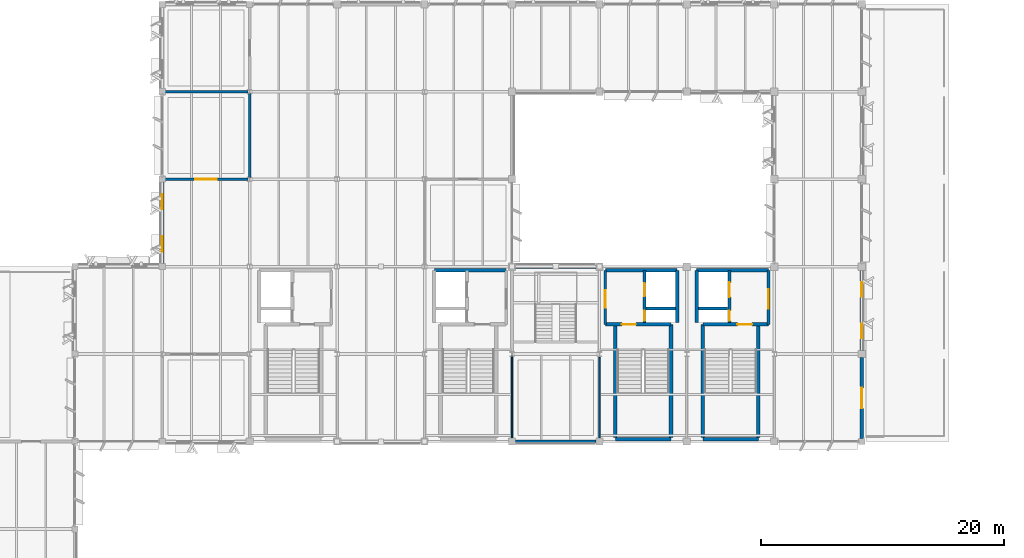
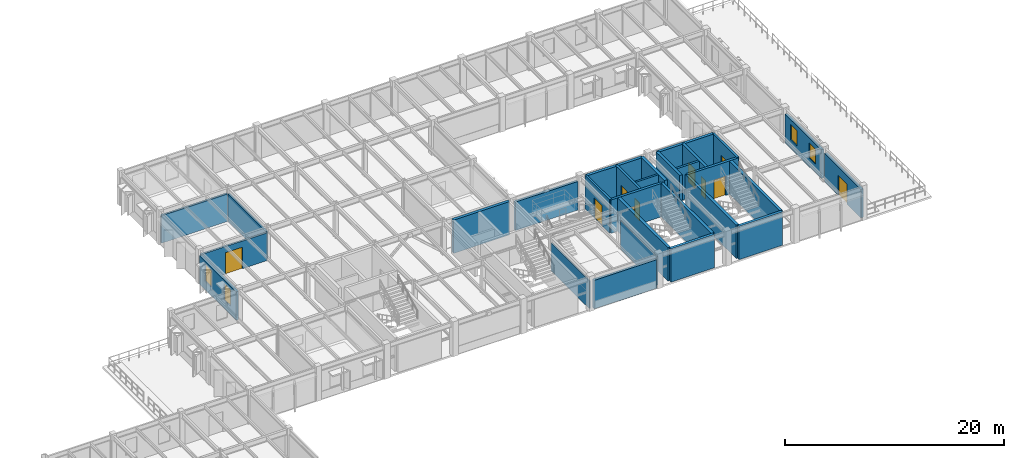
# One storey, part 14 of 35: 29 walls, 10 doors, 4 windows, 14 openings.
"""IFC4 building model written with IfcOpenShell, lengths in metres."""

from ifc_helpers import new_model, si_unit, direction, frame, frame_2d, origin, place, context, subcontext, project, spatial, rectangle, extrude, material, layer, layer_set, type_object, element, fill, save


model = new_model("IFC4")

# Units and contexts
model_context = context("Model", 3, precision=1e-05, world=origin(), true_north=direction((0.0, 1.0)))
body_context = subcontext(model_context, "Body", "Model", "MODEL_VIEW")
ifc_project = project(units=[si_unit("LENGTHUNIT", "METRE"), si_unit("AREAUNIT", "SQUARE_METRE"), si_unit("VOLUMEUNIT", "CUBIC_METRE"), si_unit("PLANEANGLEUNIT", "RADIAN"), si_unit("MASSUNIT", "GRAM", prefix="KILO")], contexts=[model_context])

# Site, building, storey
site_placement = place(None, origin())
site = spatial("IfcSite", under=ifc_project, at=site_placement, CompositionType="ELEMENT")
building_placement = place(site_placement, origin())
building = spatial("IfcBuilding", under=site, at=building_placement, Name="Sillqori Civic Hall", CompositionType="ELEMENT")
storey_placement = place(building_placement, frame((0.0, 0.0, 18.0)))
storey = spatial("IfcBuildingStorey", under=building, at=storey_placement, Name="L05", CompositionType="ELEMENT", Elevation=18.0)

# Wall
ifc_material_1 = material(Name="Concrete C35/45 (H35)", Category="concrete")
ifc_layer_1 = layer(ifc_material_1, 0.219970703125)
ifc_layer_set_1 = layer_set([ifc_layer_1], Name="Concrete C35/45 (H35)")
wall_type_1 = type_object("IfcWallType", Name="CW-SHR-220", PredefinedType="SHEAR", material=ifc_layer_set_1)
wall_1_placement = place(storey_placement, frame((83.050048828125, 90.14990234375, 0.0), z_axis=(0.0, 0.0, 1.0), x_axis=(1.0, 0.0, 0.0)))
element("IfcWall", 1, at=wall_1_placement, inside=storey, type_object=wall_type_1, Name="L05 C7 Lift-riser divider wall", PredefinedType="SHEAR", context=body_context, shape_type="SweptSolid", body=[
    extrude(rectangle(XDim=2.39990234375, YDim=0.219970703125, at=frame_2d((1.199951171875, 0.0))), origin(), (0.0, 0.0, 1.0), 3.719970703125),
])

# Wall, opening, door
wall_2_placement = place(storey_placement, frame((79.679931640625, 88.85009765625, 0.0), z_axis=(0.0, 0.0, 1.0), x_axis=(0.0, 1.0, 0.0)))
wall_2 = element("IfcWall", 2, at=wall_2_placement, inside=storey, type_object=wall_type_1, Name="L05 C7 firefighting lobby enclosure wall", PredefinedType="SHEAR", context=body_context, shape_type="SweptSolid", body=[
    extrude(rectangle(XDim=4.449951171875, YDim=0.219970703125, at=frame_2d((2.22509765625, 0.0))), origin(), (0.0, 0.0, 1.0), 3.719970703125),
])
opening_1_placement = place(wall_2_placement, frame((1.375, 0.0, 0.0)))
opening_1 = element("IfcOpeningElement", 3, at=opening_1_placement, cuts=wall_2, Name="Opening FD-03", PredefinedType="OPENING", context=body_context, shape_type="SweptSolid", body=[
    extrude(rectangle(XDim=1.449951171875, YDim=2.199951171875, at=frame_2d((0.72509765625, 1.10009765625))), frame((0.0, 0.119873046875, 0.0), z_axis=(0.0, -1.0, 0.0), x_axis=(1.0, 0.0, 0.0)), (0.0, 0.0, 1.0), 0.239990234375),
])
ifc_material_2 = material(Name="Double-Leaf Smoke-Seal Lobby Door", Category="steel")
door_type_1 = type_object("IfcDoorType", Name="FDR-LOB-145X220", OperationType="NOTDEFINED", PredefinedType="DOOR", material=ifc_material_2)
door_1_placement = place(opening_1_placement, origin())
door_1 = element("IfcDoor", 4, at=door_1_placement, inside=storey, type_object=door_type_1, Name="L05 C7 firefighting lobby exit door", OperationType="DOUBLE_DOOR_SINGLE_SWING", OverallHeight=2.199951171875, OverallWidth=1.449951171875, PredefinedType="DOOR", context=body_context, shape_type="SweptSolid", body=[
    extrude(rectangle(XDim=1.449951171875, YDim=2.199951171875, at=frame_2d((0.72509765625, 1.10009765625))), frame((0.0, 0.02490234375, 0.0), z_axis=(0.0, -1.0, 0.0), x_axis=(1.0, 0.0, 0.0)), (0.0, 0.0, 1.0), 0.050048828125),
])
fill(opening_1, door_1)

# Wall
wall_3_placement = place(storey_placement, frame((87.35009765625, 90.14990234375, 0.0), z_axis=(0.0, 0.0, 1.0), x_axis=(1.0, 0.0, 0.0)))
element("IfcWall", 5, at=wall_3_placement, inside=storey, type_object=wall_type_1, Name="L05 C8 Lift-riser divider wall", PredefinedType="SHEAR", context=body_context, shape_type="SweptSolid", body=[
    extrude(rectangle(XDim=2.39990234375, YDim=0.219970703125, at=frame_2d((1.199951171875, 0.0))), origin(), (0.0, 0.0, 1.0), 3.719970703125),
])

# Wall, opening, door
wall_4_placement = place(storey_placement, frame((93.1201171875, 93.300048828125, 0.0), z_axis=(0.0, 0.0, 1.0), x_axis=(0.0, -1.0, 0.0)))
wall_4 = element("IfcWall", 6, at=wall_4_placement, inside=storey, type_object=wall_type_1, Name="L05 C8 firefighting lobby enclosure wall", PredefinedType="SHEAR", context=body_context, shape_type="SweptSolid", body=[
    extrude(rectangle(XDim=4.449951171875, YDim=0.219970703125, at=frame_2d((2.22509765625, 0.0))), origin(), (0.0, 0.0, 1.0), 3.719970703125),
])
opening_2_placement = place(wall_4_placement, frame((1.550048828125, 0.0, 0.0)))
opening_2 = element("IfcOpeningElement", 7, at=opening_2_placement, cuts=wall_4, Name="Opening FD-04", PredefinedType="OPENING", context=body_context, shape_type="SweptSolid", body=[
    extrude(rectangle(XDim=1.60009765625, YDim=2.199951171875, at=frame_2d((0.800048828125, 1.10009765625))), frame((0.0, 0.119873046875, 0.0), z_axis=(0.0, -1.0, 0.0), x_axis=(1.0, 0.0, 0.0)), (0.0, 0.0, 1.0), 0.239990234375),
])
ifc_material_3 = material(Name="Double-Leaf Firefighting Lobby Door", Category="steel")
door_type_2 = type_object("IfcDoorType", Name="FDR-LOB-160X220", OperationType="NOTDEFINED", PredefinedType="DOOR", material=ifc_material_3)
door_2_placement = place(opening_2_placement, origin())
door_2 = element("IfcDoor", 8, at=door_2_placement, inside=storey, type_object=door_type_2, Name="L05 C8 firefighting lobby exit door", OperationType="DOUBLE_DOOR_SINGLE_SWING", OverallHeight=2.199951171875, OverallWidth=1.60009765625, PredefinedType="DOOR", context=body_context, shape_type="SweptSolid", body=[
    extrude(rectangle(XDim=1.60009765625, YDim=2.199951171875, at=frame_2d((0.800048828125, 1.10009765625))), frame((0.0, 0.02490234375, 0.0), z_axis=(0.0, -1.0, 0.0), x_axis=(1.0, 0.0, 0.0)), (0.0, 0.0, 1.0), 0.050048828125),
])
fill(opening_2, door_2)

ifc_layer_2 = layer(ifc_material_1, 0.260009765625)
ifc_layer_set_2 = layer_set([ifc_layer_2], Name="Concrete C35/45 (H35)")
wall_type_2 = type_object("IfcWallType", Name="CW-SHR-260", PredefinedType="SHEAR", material=ifc_layer_set_2)
wall_5_placement = place(storey_placement, frame((79.679931640625, 88.85009765625, 0.0), z_axis=(0.0, 0.0, 1.0), x_axis=(1.0, 0.0, 0.0)))
wall_5 = element("IfcWall", 9, at=wall_5_placement, inside=storey, type_object=wall_type_2, Name="L05 C7 Stair-lobby fire wall", PredefinedType="SHEAR", context=body_context, shape_type="SweptSolid", body=[
    extrude(rectangle(XDim=5.41015625, YDim=0.260009765625, at=frame_2d((2.705078125, 0.0))), origin(), (0.0, 0.0, 1.0), 3.719970703125),
])
opening_3_placement = place(wall_5_placement, frame((1.3701171875, 0.0, 0.0)))
opening_3 = element("IfcOpeningElement", 10, at=opening_3_placement, cuts=wall_5, Name="Opening FD-01", PredefinedType="OPENING", context=body_context, shape_type="SweptSolid", body=[
    extrude(rectangle(XDim=1.14990234375, YDim=2.14990234375, at=frame_2d((0.574951171875, 1.074951171875))), frame((0.0, 0.139892578125, 0.0), z_axis=(0.0, -1.0, 0.0), x_axis=(1.0, 0.0, 0.0)), (0.0, 0.0, 1.0), 0.280029296875),
])
ifc_material_4 = material(Name="Galvanized Steel Fire Door FD90S", Category="steel")
door_type_3 = type_object("IfcDoorType", Name="FDR-STR-115X215", OperationType="NOTDEFINED", PredefinedType="DOOR", material=ifc_material_4)
door_3_placement = place(opening_3_placement, origin())
door_3 = element("IfcDoor", 11, at=door_3_placement, inside=storey, type_object=door_type_3, Name="L05 stair ST-07 fire door", OperationType="SINGLE_SWING_RIGHT", OverallHeight=2.14990234375, OverallWidth=1.14990234375, PredefinedType="DOOR", context=body_context, shape_type="SweptSolid", body=[
    extrude(rectangle(XDim=1.14990234375, YDim=2.14990234375, at=frame_2d((0.574951171875, 1.074951171875))), frame((0.0, 0.02490234375, 0.0), z_axis=(0.0, -1.0, 0.0), x_axis=(1.0, 0.0, 0.0)), (0.0, 0.0, 1.0), 0.050048828125),
])
fill(opening_3, door_3)

# Wall, openings, doors
wall_6_placement = place(storey_placement, frame((82.89990234375, 88.97998046875, 0.0), z_axis=(0.0, 0.0, 1.0), x_axis=(0.0, 1.0, 0.0)))
wall_6 = element("IfcWall", 12, at=wall_6_placement, inside=storey, type_object=wall_type_2, Name="L05 C7 Lift landing & riser front wall", PredefinedType="SHEAR", context=body_context, shape_type="SweptSolid", body=[
    extrude(rectangle(XDim=4.320068359375, YDim=0.260009765625, at=frame_2d((2.16015625, 0.0))), origin(), (0.0, 0.0, 1.0), 3.719970703125),
])
opening_4_placement = place(wall_6_placement, frame((2.169921875, 0.0, 0.0)))
opening_4 = element("IfcOpeningElement", 13, at=opening_4_placement, cuts=wall_6, Name="Opening LD-01", PredefinedType="OPENING", context=body_context, shape_type="SweptSolid", body=[
    extrude(rectangle(XDim=1.10009765625, YDim=2.14990234375, at=frame_2d((0.550048828125, 1.074951171875))), frame((0.0, 0.139892578125, 0.0), z_axis=(0.0, -1.0, 0.0), x_axis=(1.0, 0.0, 0.0)), (0.0, 0.0, 1.0), 0.280029296875),
])
opening_5_placement = place(wall_6_placement, frame((0.14501953125, 0.0, 0.0)))
opening_5 = element("IfcOpeningElement", 14, at=opening_5_placement, cuts=wall_6, Name="Opening FD-05", PredefinedType="OPENING", context=body_context, shape_type="SweptSolid", body=[
    extrude(rectangle(XDim=0.85009765625, YDim=2.050048828125, at=frame_2d((0.425048828125, 1.02490234375))), frame((0.0, 0.139892578125, 0.0), z_axis=(0.0, -1.0, 0.0), x_axis=(1.0, 0.0, 0.0)), (0.0, 0.0, 1.0), 0.280029296875),
])
ifc_material_5 = material(Name="Steel Riser Access Fire Door", Category="steel")
door_type_4 = type_object("IfcDoorType", Name="FDR-RSR-085X205", OperationType="NOTDEFINED", PredefinedType="DOOR", material=ifc_material_5)
door_4_placement = place(opening_5_placement, origin())
door_4 = element("IfcDoor", 15, at=door_4_placement, inside=storey, type_object=door_type_4, Name="L05 MEP riser C7 fire access door", OperationType="SINGLE_SWING_LEFT", OverallHeight=2.050048828125, OverallWidth=0.85009765625, PredefinedType="DOOR", context=body_context, shape_type="SweptSolid", body=[
    extrude(rectangle(XDim=0.85009765625, YDim=2.050048828125, at=frame_2d((0.425048828125, 1.02490234375))), frame((0.0, 0.02490234375, 0.0), z_axis=(0.0, -1.0, 0.0), x_axis=(1.0, 0.0, 0.0)), (0.0, 0.0, 1.0), 0.050048828125),
])
fill(opening_5, door_4)
ifc_material_6 = material(Name="Stainless Steel Lift Landing Door", Category="steel")
door_type_5 = type_object("IfcDoorType", Name="LDR-PASS-110X215", OperationType="NOTDEFINED", PredefinedType="DOOR", material=ifc_material_6)
door_5_placement = place(opening_4_placement, origin())
door_5 = element("IfcDoor", 16, at=door_5_placement, inside=storey, type_object=door_type_5, Name="L05 lift LF-04 sliding landing door", OperationType="DOUBLE_DOOR_SLIDING", OverallHeight=2.14990234375, OverallWidth=1.10009765625, PredefinedType="DOOR", context=body_context, shape_type="SweptSolid", body=[
    extrude(rectangle(XDim=1.10009765625, YDim=2.14990234375, at=frame_2d((0.550048828125, 1.074951171875))), frame((0.0, 0.02490234375, 0.0), z_axis=(0.0, -1.0, 0.0), x_axis=(1.0, 0.0, 0.0)), (0.0, 0.0, 1.0), 0.050048828125),
])
fill(opening_4, door_5)

# Wall, opening, door
wall_7_placement = place(storey_placement, frame((87.7099609375, 88.85009765625, 0.0), z_axis=(0.0, 0.0, 1.0), x_axis=(1.0, 0.0, 0.0)))
wall_7 = element("IfcWall", 17, at=wall_7_placement, inside=storey, type_object=wall_type_2, Name="L05 C8 Stair-lobby fire wall", PredefinedType="SHEAR", context=body_context, shape_type="SweptSolid", body=[
    extrude(rectangle(XDim=5.41015625, YDim=0.260009765625, at=frame_2d((2.705078125, 0.0))), origin(), (0.0, 0.0, 1.0), 3.719970703125),
])
opening_6_placement = place(wall_7_placement, frame((2.840087890625, 0.0, 0.0)))
opening_6 = element("IfcOpeningElement", 18, at=opening_6_placement, cuts=wall_7, Name="Opening FD-02", PredefinedType="OPENING", context=body_context, shape_type="SweptSolid", body=[
    extrude(rectangle(XDim=1.219970703125, YDim=2.14990234375, at=frame_2d((0.60986328125, 1.074951171875))), frame((0.0, 0.139892578125, 0.0), z_axis=(0.0, -1.0, 0.0), x_axis=(1.0, 0.0, 0.0)), (0.0, 0.0, 1.0), 0.280029296875),
])
ifc_material_7 = material(Name="Galvanized Steel Fire Door FD120S", Category="steel")
door_type_6 = type_object("IfcDoorType", Name="FDR-STR-122X215", OperationType="NOTDEFINED", PredefinedType="DOOR", material=ifc_material_7)
door_6_placement = place(opening_6_placement, origin())
door_6 = element("IfcDoor", 19, at=door_6_placement, inside=storey, type_object=door_type_6, Name="L05 stair ST-08 fire door", OperationType="SINGLE_SWING_RIGHT", OverallHeight=2.14990234375, OverallWidth=1.219970703125, PredefinedType="DOOR", context=body_context, shape_type="SweptSolid", body=[
    extrude(rectangle(XDim=1.219970703125, YDim=2.14990234375, at=frame_2d((0.60986328125, 1.074951171875))), frame((0.0, 0.02490234375, 0.0), z_axis=(0.0, -1.0, 0.0), x_axis=(1.0, 0.0, 0.0)), (0.0, 0.0, 1.0), 0.050048828125),
])
fill(opening_6, door_6)

# Wall, openings, doors
wall_8_placement = place(storey_placement, frame((89.89990234375, 93.300048828125, 0.0), z_axis=(0.0, 0.0, 1.0), x_axis=(0.0, -1.0, 0.0)))
wall_8 = element("IfcWall", 20, at=wall_8_placement, inside=storey, type_object=wall_type_2, Name="L05 C8 Lift landing & riser front wall", PredefinedType="SHEAR", context=body_context, shape_type="SweptSolid", body=[
    extrude(rectangle(XDim=4.320068359375, YDim=0.260009765625, at=frame_2d((2.16015625, 0.0))), origin(), (0.0, 0.0, 1.0), 3.719970703125),
])
opening_7_placement = place(wall_8_placement, frame((1.0, 0.0, 0.0)))
opening_7 = element("IfcOpeningElement", 21, at=opening_7_placement, cuts=wall_8, Name="Opening LD-02", PredefinedType="OPENING", context=body_context, shape_type="SweptSolid", body=[
    extrude(rectangle(XDim=1.199951171875, YDim=2.14990234375, at=frame_2d((0.60009765625, 1.074951171875))), frame((0.0, 0.139892578125, 0.0), z_axis=(0.0, -1.0, 0.0), x_axis=(1.0, 0.0, 0.0)), (0.0, 0.0, 1.0), 0.280029296875),
])
opening_8_placement = place(wall_8_placement, frame((3.324951171875, 0.0, 0.0)))
opening_8 = element("IfcOpeningElement", 22, at=opening_8_placement, cuts=wall_8, Name="Opening FD-05", PredefinedType="OPENING", context=body_context, shape_type="SweptSolid", body=[
    extrude(rectangle(XDim=0.85009765625, YDim=2.050048828125, at=frame_2d((0.425048828125, 1.02490234375))), frame((0.0, 0.139892578125, 0.0), z_axis=(0.0, -1.0, 0.0), x_axis=(1.0, 0.0, 0.0)), (0.0, 0.0, 1.0), 0.280029296875),
])
door_7_placement = place(opening_8_placement, origin())
door_7 = element("IfcDoor", 23, at=door_7_placement, inside=storey, type_object=door_type_4, Name="L05 MEP riser C8 fire access door", OperationType="SINGLE_SWING_LEFT", OverallHeight=2.050048828125, OverallWidth=0.85009765625, PredefinedType="DOOR", context=body_context, shape_type="SweptSolid", body=[
    extrude(rectangle(XDim=0.85009765625, YDim=2.050048828125, at=frame_2d((0.425048828125, 1.02490234375))), frame((0.0, 0.02490234375, 0.0), z_axis=(0.0, -1.0, 0.0), x_axis=(1.0, 0.0, 0.0)), (0.0, 0.0, 1.0), 0.050048828125),
])
fill(opening_8, door_7)
ifc_material_8 = material(Name="Firefighting Lift Landing Door", Category="steel")
door_type_7 = type_object("IfcDoorType", Name="LDR-FIRE-120X215", OperationType="NOTDEFINED", PredefinedType="DOOR", material=ifc_material_8)
door_8_placement = place(opening_7_placement, origin())
door_8 = element("IfcDoor", 24, at=door_8_placement, inside=storey, type_object=door_type_7, Name="L05 lift LF-02 sliding landing door", OperationType="DOUBLE_DOOR_SLIDING", OverallHeight=2.14990234375, OverallWidth=1.199951171875, PredefinedType="DOOR", context=body_context, shape_type="SweptSolid", body=[
    extrude(rectangle(XDim=1.199951171875, YDim=2.14990234375, at=frame_2d((0.60009765625, 1.074951171875))), frame((0.0, 0.02490234375, 0.0), z_axis=(0.0, -1.0, 0.0), x_axis=(1.0, 0.0, 0.0)), (0.0, 0.0, 1.0), 0.050048828125),
])
fill(opening_7, door_8)

# Walls
ifc_layer_3 = layer(ifc_material_1, 0.300048828125)
ifc_layer_set_3 = layer_set([ifc_layer_3], Name="Concrete C35/45 (H35)")
wall_type_3 = type_object("IfcWallType", Name="CW-SHR-300", PredefinedType="SHEAR", material=ifc_layer_set_3)
wall_9_placement = place(storey_placement, frame((65.60009765625, 93.300048828125, 0.0), z_axis=(0.0, 0.0, 1.0), x_axis=(1.0, 0.0, 0.0)))
element("IfcWall", 25, at=wall_9_placement, inside=storey, type_object=wall_type_3, Name="L05 C6 Core north shear wall", PredefinedType="SHEAR", context=body_context, shape_type="SweptSolid", body=[
    extrude(rectangle(XDim=5.919921875, YDim=0.300048828125, at=frame_2d((2.9599609375, 0.0))), origin(), (0.0, 0.0, 1.0), 3.719970703125),
])
wall_10_placement = place(storey_placement, frame((80.510009765625, 79.39990234375, 0.0), z_axis=(0.0, 0.0, 1.0), x_axis=(1.0, 0.0, 0.0)))
element("IfcWall", 26, at=wall_10_placement, inside=storey, type_object=wall_type_3, Name="L05 C7 Stair south shear wall", PredefinedType="SHEAR", context=body_context, shape_type="SweptSolid", body=[
    extrude(rectangle(XDim=4.580078125, YDim=0.300048828125, at=frame_2d((2.2900390625, 0.0))), origin(), (0.0, 0.0, 1.0), 3.719970703125),
])
for number, where, z_axis, x_axis, name in (
    (27, (80.510009765625, 79.550048828125, 0.0), (0.0, 0.0, 1.0), (0.0, 1.0, 0.0), "L05 C7 Stair west shear wall"),
    (28, (85.090087890625, 79.550048828125, 0.0), (0.0, 0.0, 1.0), (0.0, 1.0, 0.0), "L05 C7 Stair east shear wall"),
):
    element("IfcWall", number, at=place(storey_placement, frame(where, z_axis=z_axis, x_axis=x_axis)), inside=storey, type_object=wall_type_3, Name=name, PredefinedType="SHEAR", context=body_context, shape_type="SweptSolid", body=[
        extrude(rectangle(XDim=9.300048828125, YDim=0.300048828125, at=frame_2d((4.64990234375, 0.0))), origin(), (0.0, 0.0, 1.0), 3.719970703125),
    ])
wall_11_placement = place(storey_placement, frame((85.60009765625, 88.97998046875, 0.0), z_axis=(0.0, 0.0, 1.0), x_axis=(0.0, 1.0, 0.0)))
element("IfcWall", 29, at=wall_11_placement, inside=storey, type_object=wall_type_3, Name="L05 C7 Lift shaft east shear wall", PredefinedType="SHEAR", context=body_context, shape_type="SweptSolid", body=[
    extrude(rectangle(XDim=4.320068359375, YDim=0.300048828125, at=frame_2d((2.16015625, 0.0))), origin(), (0.0, 0.0, 1.0), 3.719970703125),
])
wall_12_placement = place(storey_placement, frame((79.679931640625, 93.300048828125, 0.0), z_axis=(0.0, 0.0, 1.0), x_axis=(1.0, 0.0, 0.0)))
element("IfcWall", 30, at=wall_12_placement, inside=storey, type_object=wall_type_3, Name="L05 C7 Core north shear wall", PredefinedType="SHEAR", context=body_context, shape_type="SweptSolid", body=[
    extrude(rectangle(XDim=5.920166015625, YDim=0.300048828125, at=frame_2d((2.9599609375, 0.0))), origin(), (0.0, 0.0, 1.0), 3.719970703125),
])
wall_13_placement = place(storey_placement, frame((87.7099609375, 79.39990234375, 0.0), z_axis=(0.0, 0.0, 1.0), x_axis=(1.0, 0.0, 0.0)))
element("IfcWall", 31, at=wall_13_placement, inside=storey, type_object=wall_type_3, Name="L05 C8 Stair south shear wall", PredefinedType="SHEAR", context=body_context, shape_type="SweptSolid", body=[
    extrude(rectangle(XDim=4.580078125, YDim=0.300048828125, at=frame_2d((2.2900390625, 0.0))), origin(), (0.0, 0.0, 1.0), 3.719970703125),
])
for number, where, z_axis, x_axis, name in (
    (32, (87.7099609375, 79.550048828125, 0.0), (0.0, 0.0, 1.0), (0.0, 1.0, 0.0), "L05 C8 Stair west shear wall"),
    (33, (92.2900390625, 79.550048828125, 0.0), (0.0, 0.0, 1.0), (0.0, 1.0, 0.0), "L05 C8 Stair east shear wall"),
):
    element("IfcWall", number, at=place(storey_placement, frame(where, z_axis=z_axis, x_axis=x_axis)), inside=storey, type_object=wall_type_3, Name=name, PredefinedType="SHEAR", context=body_context, shape_type="SweptSolid", body=[
        extrude(rectangle(XDim=9.300048828125, YDim=0.300048828125, at=frame_2d((4.64990234375, 0.0))), origin(), (0.0, 0.0, 1.0), 3.719970703125),
    ])
wall_14_placement = place(storey_placement, frame((87.199951171875, 88.97998046875, 0.0), z_axis=(0.0, 0.0, 1.0), x_axis=(0.0, 1.0, 0.0)))
element("IfcWall", 34, at=wall_14_placement, inside=storey, type_object=wall_type_3, Name="L05 C8 Lift shaft west shear wall", PredefinedType="SHEAR", context=body_context, shape_type="SweptSolid", body=[
    extrude(rectangle(XDim=4.320068359375, YDim=0.300048828125, at=frame_2d((2.16015625, 0.0))), origin(), (0.0, 0.0, 1.0), 3.719970703125),
])
wall_15_placement = place(storey_placement, frame((87.199951171875, 93.300048828125, 0.0), z_axis=(0.0, 0.0, 1.0), x_axis=(1.0, 0.0, 0.0)))
element("IfcWall", 35, at=wall_15_placement, inside=storey, type_object=wall_type_3, Name="L05 C8 Core north shear wall", PredefinedType="SHEAR", context=body_context, shape_type="SweptSolid", body=[
    extrude(rectangle(XDim=5.920166015625, YDim=0.300048828125, at=frame_2d((2.9599609375, 0.0))), origin(), (0.0, 0.0, 1.0), 3.719970703125),
])

# Wall, openings, windows
ifc_material_9 = material(Name="Precast concrete C40/50 (H40)", Category="concrete")
ifc_layer_4 = layer(ifc_material_9, 0.280029296875)
ifc_layer_set_4 = layer_set([ifc_layer_4], Name="Precast concrete C40/50 (H40)")
wall_type_4 = type_object("IfcWallType", Name="EW-LIME-280", PredefinedType="SOLIDWALL", material=ifc_layer_set_4)
wall_16_placement = place(storey_placement, frame((43.199951171875, 93.85009765625, 0.0), z_axis=(0.0, 0.0, 1.0), x_axis=(0.0, 1.0, 0.0)))
wall_16 = element("IfcWall", 36, at=wall_16_placement, inside=storey, type_object=wall_type_4, Name="L05 V4 exterior wall L05-06-13-W", PredefinedType="SOLIDWALL", context=body_context, shape_type="SweptSolid", body=[
    extrude(rectangle(XDim=6.699951171875, YDim=0.280029296875, at=frame_2d((3.35009765625, 0.0))), origin(), (0.0, 0.0, 1.0), 3.172119140625),
])
opening_9_placement = place(wall_16_placement, frame((0.98291015625, 0.0, 0.949951171875)))
opening_9 = element("IfcOpeningElement", 37, at=opening_9_placement, cuts=wall_16, Name="Opening W-41", PredefinedType="OPENING", context=body_context, shape_type="SweptSolid", body=[
    extrude(rectangle(XDim=1.25, YDim=1.85009765625, at=frame_2d((0.625, 0.925048828125))), frame((0.0, 0.14990234375, 0.0), z_axis=(0.0, -1.0, 0.0), x_axis=(1.0, 0.0, 0.0)), (0.0, 0.0, 1.0), 0.300048828125),
])
opening_10_placement = place(wall_16_placement, frame((4.467041015625, 0.0, 0.949951171875)))
opening_10 = element("IfcOpeningElement", 38, at=opening_10_placement, cuts=wall_16, Name="Opening W-41", PredefinedType="OPENING", context=body_context, shape_type="SweptSolid", body=[
    extrude(rectangle(XDim=1.25, YDim=1.85009765625, at=frame_2d((0.625, 0.925048828125))), frame((0.0, 0.14990234375, 0.0), z_axis=(0.0, -1.0, 0.0), x_axis=(1.0, 0.0, 0.0)), (0.0, 0.0, 1.0), 0.300048828125),
])
ifc_material_10 = material(Name="Thermally Broken Aluminium Low-E Window", Category="aluminium")
window_type_1 = type_object("IfcWindowType", Name="WIN-GD-125X185", PartitioningType="SINGLE_PANEL", PredefinedType="WINDOW", material=ifc_material_10)
window_1_placement = place(opening_9_placement, origin())
window_1 = element("IfcWindow", 39, at=window_1_placement, inside=storey, type_object=window_type_1, Name="L05 V4 window L05-06-13-W.1", OverallHeight=1.85009765625, OverallWidth=1.25, PartitioningType="SINGLE_PANEL", PredefinedType="WINDOW", context=body_context, shape_type="SweptSolid", body=[
    extrude(rectangle(XDim=1.25, YDim=1.85009765625, at=frame_2d((0.625, 0.925048828125))), frame((0.0, 0.030029296875, 0.0), z_axis=(0.0, -1.0, 0.0), x_axis=(1.0, 0.0, 0.0)), (0.0, 0.0, 1.0), 0.06005859375),
])
fill(opening_9, window_1)
window_2_placement = place(opening_10_placement, origin())
window_2 = element("IfcWindow", 40, at=window_2_placement, inside=storey, type_object=window_type_1, Name="L05 V4 window L05-06-13-W.2", OverallHeight=1.85009765625, OverallWidth=1.25, PartitioningType="SINGLE_PANEL", PredefinedType="WINDOW", context=body_context, shape_type="SweptSolid", body=[
    extrude(rectangle(XDim=1.25, YDim=1.85009765625, at=frame_2d((0.625, 0.925048828125))), frame((0.0, 0.030029296875, 0.0), z_axis=(0.0, -1.0, 0.0), x_axis=(1.0, 0.0, 0.0)), (0.0, 0.0, 1.0), 0.06005859375),
])
fill(opening_10, window_2)

# Walls
for number, where, z_axis, x_axis, name in (
    (41, (78.89990234375, 79.199951171875, 0.0), (0.0, 0.0, 1.0), (-1.0, 0.0, 0.0), "L05 V4 exterior wall L05-10-11-S"),
    (42, (72.300048828125, 93.60009765625, 0.0), (0.0, 0.0, 1.0), (1.0, 0.0, 0.0), "L05 V4 exterior wall L05-10-12-N"),
):
    element("IfcWall", number, at=place(storey_placement, frame(where, z_axis=z_axis, x_axis=x_axis)), inside=storey, type_object=wall_type_4, Name=name, PredefinedType="SOLIDWALL", context=body_context, shape_type="SweptSolid", body=[
        extrude(rectangle(XDim=6.599853515625, YDim=0.280029296875, at=frame_2d((3.2998046875, 0.0))), origin(), (0.0, 0.0, 1.0), 3.19189453125),
    ])

# Wall, opening, door
wall_17_placement = place(storey_placement, frame((100.800048828125, 86.10009765625, 0.0), z_axis=(0.0, 0.0, 1.0), x_axis=(0.0, -1.0, 0.0)))
wall_17 = element("IfcWall", 43, at=wall_17_placement, inside=storey, type_object=wall_type_4, Name="L05 V4 exterior wall L05-13-11-E", PredefinedType="SOLIDWALL", context=body_context, shape_type="SweptSolid", body=[
    extrude(rectangle(XDim=6.650146484375, YDim=0.280029296875, at=frame_2d((3.3251953125, 0.0))), origin(), (0.0, 0.0, 1.0), 3.172119140625),
])
opening_11_placement = place(wall_17_placement, frame((2.47509765625, 0.0, 0.0)))
opening_11 = element("IfcOpeningElement", 44, at=opening_11_placement, cuts=wall_17, Name="Opening ED-07", PredefinedType="OPENING", context=body_context, shape_type="SweptSolid", body=[
    extrude(rectangle(XDim=1.699951171875, YDim=2.25, at=frame_2d((0.85009765625, 1.125))), frame((0.0, 0.14990234375, 0.0), z_axis=(0.0, -1.0, 0.0), x_axis=(1.0, 0.0, 0.0)), (0.0, 0.0, 1.0), 0.300048828125),
])
ifc_material_11 = material(Name="Thermally Broken Anodized Aluminium and Laminated Glass", Category="aluminium")
door_type_8 = type_object("IfcDoorType", Name="EDR-TERR-170X225", OperationType="NOTDEFINED", PredefinedType="DOOR", material=ifc_material_11)
door_9_placement = place(opening_11_placement, origin())
door_9 = element("IfcDoor", 45, at=door_9_placement, inside=storey, type_object=door_type_8, Name="Finance East Roof Garden Access Door", OperationType="DOUBLE_DOOR_SINGLE_SWING", OverallHeight=2.25, OverallWidth=1.699951171875, PredefinedType="DOOR", context=body_context, shape_type="SweptSolid", body=[
    extrude(rectangle(XDim=1.699951171875, YDim=2.25, at=frame_2d((0.85009765625, 1.125))), frame((0.0, 0.02490234375, 0.0), z_axis=(0.0, -1.0, 0.0), x_axis=(1.0, 0.0, 0.0)), (0.0, 0.0, 1.0), 0.050048828125),
])
fill(opening_11, door_9)

# Wall, openings, windows
wall_18_placement = place(storey_placement, frame((100.800048828125, 93.300048828125, 0.0), z_axis=(0.0, 0.0, 1.0), x_axis=(0.0, -1.0, 0.0)))
wall_18 = element("IfcWall", 46, at=wall_18_placement, inside=storey, type_object=wall_type_4, Name="L05 V4 exterior wall L05-13-12-E", PredefinedType="SOLIDWALL", context=body_context, shape_type="SweptSolid", body=[
    extrude(rectangle(XDim=6.60009765625, YDim=0.280029296875, at=frame_2d((3.300048828125, 0.0))), origin(), (0.0, 0.0, 1.0), 3.19189453125),
])
opening_12_placement = place(wall_18_placement, frame((0.98388671875, 0.0, 0.949951171875)))
opening_12 = element("IfcOpeningElement", 47, at=opening_12_placement, cuts=wall_18, Name="Opening W-22", PredefinedType="OPENING", context=body_context, shape_type="SweptSolid", body=[
    extrude(rectangle(XDim=1.199951171875, YDim=1.699951171875, at=frame_2d((0.60009765625, 0.85009765625))), frame((0.0, 0.14990234375, 0.0), z_axis=(0.0, -1.0, 0.0), x_axis=(1.0, 0.0, 0.0)), (0.0, 0.0, 1.0), 0.300048828125),
])
opening_13_placement = place(wall_18_placement, frame((4.416015625, 0.0, 0.949951171875)))
opening_13 = element("IfcOpeningElement", 48, at=opening_13_placement, cuts=wall_18, Name="Opening W-22", PredefinedType="OPENING", context=body_context, shape_type="SweptSolid", body=[
    extrude(rectangle(XDim=1.199951171875, YDim=1.699951171875, at=frame_2d((0.60009765625, 0.85009765625))), frame((0.0, 0.14990234375, 0.0), z_axis=(0.0, -1.0, 0.0), x_axis=(1.0, 0.0, 0.0)), (0.0, 0.0, 1.0), 0.300048828125),
])
window_type_2 = type_object("IfcWindowType", Name="WIN-V5-120X170", PartitioningType="SINGLE_PANEL", PredefinedType="WINDOW", material=ifc_material_10)
window_3_placement = place(opening_12_placement, origin())
window_3 = element("IfcWindow", 49, at=window_3_placement, inside=storey, type_object=window_type_2, Name="L05 V4 window L05-13-12-E.1", OverallHeight=1.699951171875, OverallWidth=1.199951171875, PartitioningType="SINGLE_PANEL", PredefinedType="WINDOW", context=body_context, shape_type="SweptSolid", body=[
    extrude(rectangle(XDim=1.199951171875, YDim=1.699951171875, at=frame_2d((0.60009765625, 0.85009765625))), frame((0.0, 0.030029296875, 0.0), z_axis=(0.0, -1.0, 0.0), x_axis=(1.0, 0.0, 0.0)), (0.0, 0.0, 1.0), 0.06005859375),
])
fill(opening_12, window_3)
window_4_placement = place(opening_13_placement, origin())
window_4 = element("IfcWindow", 50, at=window_4_placement, inside=storey, type_object=window_type_2, Name="L05 V4 window L05-13-12-E.2", OverallHeight=1.699951171875, OverallWidth=1.199951171875, PartitioningType="SINGLE_PANEL", PredefinedType="WINDOW", context=body_context, shape_type="SweptSolid", body=[
    extrude(rectangle(XDim=1.199951171875, YDim=1.699951171875, at=frame_2d((0.60009765625, 0.85009765625))), frame((0.0, 0.030029296875, 0.0), z_axis=(0.0, -1.0, 0.0), x_axis=(1.0, 0.0, 0.0)), (0.0, 0.0, 1.0), 0.06005859375),
])
fill(opening_13, window_4)

# Walls
ifc_material_12 = material(Name="Double-Glazed Civic Suite Screen 118", Category="glass")
ifc_layer_5 = layer(ifc_material_12, 0.117919921875)
ifc_layer_set_5 = layer_set([ifc_layer_5], Name="Double-Glazed Civic Suite Screen 118")
wall_type_5 = type_object("IfcWallType", Name="PT-GLZ-118", PredefinedType="PARTITIONING", material=ifc_layer_set_5)
wall_19_placement = place(storey_placement, frame((72.0, 79.320068359375, 0.0), z_axis=(0.0, 0.0, 1.0), x_axis=(0.0, 1.0, 0.0)))
element("IfcWall", 51, at=wall_19_placement, inside=storey, type_object=wall_type_5, Name="Culture and Heritage Programme Directorate partition W2", PredefinedType="PARTITIONING", context=body_context, shape_type="SweptSolid", body=[
    extrude(rectangle(XDim=6.9599609375, YDim=0.117919921875, at=frame_2d((3.47998046875, 0.0))), origin(), (0.0, 0.0, 1.0), 3.10791015625),
])
wall_20_placement = place(storey_placement, frame((79.199951171875, 86.1201171875, 0.0), z_axis=(0.0, 0.0, 1.0), x_axis=(0.0, -1.0, 0.0)))
element("IfcWall", 52, at=wall_20_placement, inside=storey, type_object=wall_type_5, Name="Culture and Heritage Programme Directorate partition E3", PredefinedType="PARTITIONING", context=body_context, shape_type="SweptSolid", body=[
    extrude(rectangle(XDim=6.64013671875, YDim=0.117919921875, at=frame_2d((3.320068359375, 0.0))), origin(), (0.0, 0.0, 1.0), 3.177001953125),
])

# Wall, opening, door
ifc_material_13 = material(Name="Concrete C25/30 (H25)", Category="concrete")
ifc_layer_6 = layer(ifc_material_13, 0.205078125)
ifc_layer_set_6 = layer_set([ifc_layer_6], Name="Concrete C25/30 (H25)")
wall_type_6 = type_object("IfcWallType", Name="PT-MAS-205", PredefinedType="PARTITIONING", material=ifc_layer_set_6)
wall_21_placement = place(storey_placement, frame((50.280029296875, 100.800048828125, 0.0), z_axis=(0.0, 0.0, 1.0), x_axis=(-1.0, 0.0, 0.0)))
wall_21 = element("IfcWall", 53, at=wall_21_placement, inside=storey, type_object=wall_type_6, Name="Administrative Tribunal Hearing Room partition S1", PredefinedType="PARTITIONING", context=body_context, shape_type="SweptSolid", body=[
    extrude(rectangle(XDim=6.9599609375, YDim=0.205078125, at=frame_2d((3.47998046875, 0.0))), origin(), (0.0, 0.0, 1.0), 3.087890625),
])
opening_14_placement = place(wall_21_placement, frame((2.580078125, 0.0, 0.0)))
opening_14 = element("IfcOpeningElement", 54, at=opening_14_placement, cuts=wall_21, Name="Opening ID-03", PredefinedType="OPENING", context=body_context, shape_type="SweptSolid", body=[
    extrude(rectangle(XDim=1.800048828125, YDim=2.39990234375, at=frame_2d((0.89990234375, 1.199951171875))), frame((0.0, 0.112548828125, 0.0), z_axis=(0.0, -1.0, 0.0), x_axis=(1.0, 0.0, 0.0)), (0.0, 0.0, 1.0), 0.22509765625),
])
ifc_material_14 = material(Name="Committee Hearing Double Door", Category="timber")
door_type_9 = type_object("IfcDoorType", Name="IDR-COM-180X240", OperationType="NOTDEFINED", PredefinedType="DOOR", material=ifc_material_14)
door_10_placement = place(opening_14_placement, origin())
door_10 = element("IfcDoor", 55, at=door_10_placement, inside=storey, type_object=door_type_9, Name="Administrative Tribunal Hearing Room entrance door", OperationType="DOUBLE_DOOR_SINGLE_SWING", OverallHeight=2.39990234375, OverallWidth=1.800048828125, PredefinedType="DOOR", context=body_context, shape_type="SweptSolid", body=[
    extrude(rectangle(XDim=1.800048828125, YDim=2.39990234375, at=frame_2d((0.89990234375, 1.199951171875))), frame((0.0, 0.02490234375, 0.0), z_axis=(0.0, -1.0, 0.0), x_axis=(1.0, 0.0, 0.0)), (0.0, 0.0, 1.0), 0.050048828125),
])
fill(opening_14, door_10)

# Walls
for number, where, z_axis, x_axis, name in (
    (56, (43.320068359375, 108.0, 0.0), (0.0, 0.0, 1.0), (1.0, 0.0, 0.0), "Administrative Tribunal Hearing Room partition N2"),
    (57, (50.39990234375, 107.8798828125, 0.0), (0.0, 0.0, 1.0), (0.0, -1.0, 0.0), "Administrative Tribunal Hearing Room partition E3"),
):
    element("IfcWall", number, at=place(storey_placement, frame(where, z_axis=z_axis, x_axis=x_axis)), inside=storey, type_object=wall_type_6, Name=name, PredefinedType="PARTITIONING", context=body_context, shape_type="SweptSolid", body=[
        extrude(rectangle(XDim=6.9599609375, YDim=0.205078125, at=frame_2d((3.47998046875, 0.0))), origin(), (0.0, 0.0, 1.0), 3.087890625),
    ])

save(model, "model.ifc")
